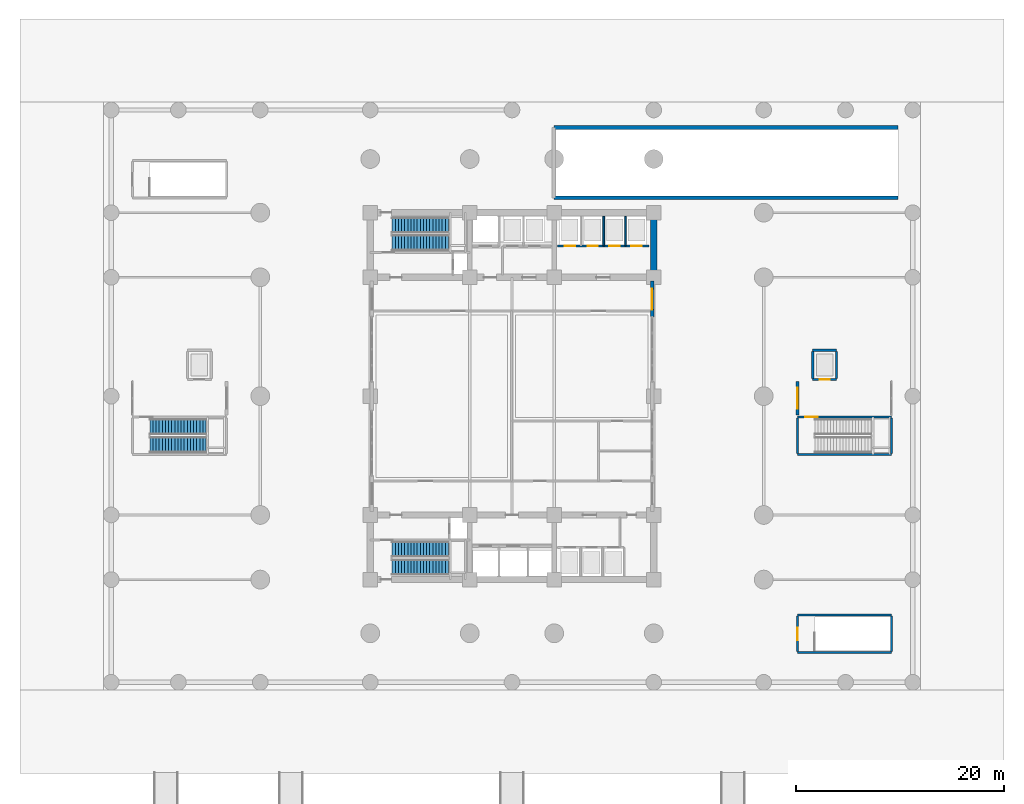
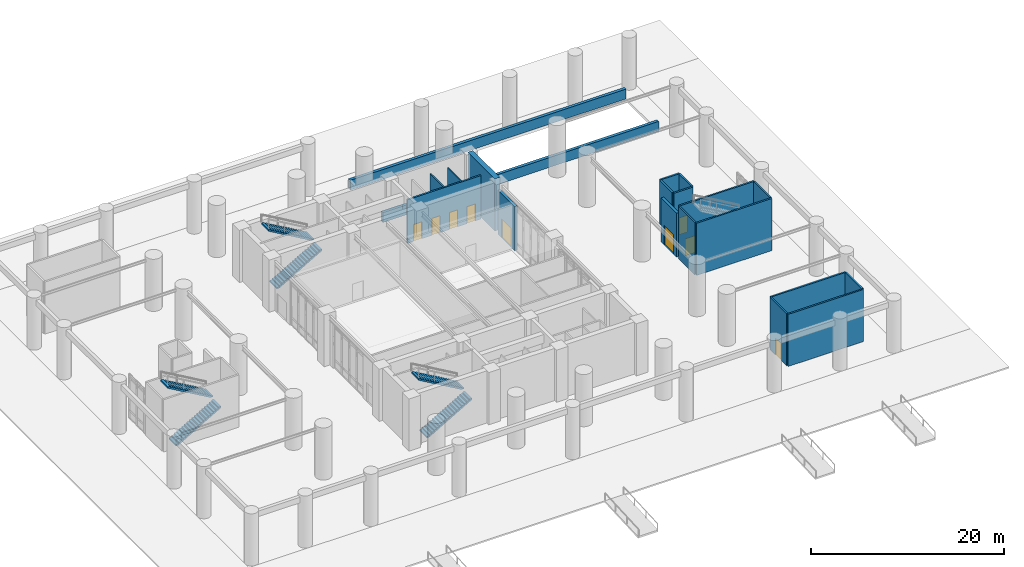
# One storey, part 9 of 16: 20 walls, 9 doors, 6 stair flights, 9 openings, 3 elements without a shape of their own.
"""IFC4 building model written with IfcOpenShell, lengths in metres."""

from ifc_helpers import new_model, si_unit, direction, frame, frame_2d, origin, place, context, subcontext, project, spatial, polyline, rectangle, outline, extrude, material, layer, layer_set, type_object, element, fill, aggregate, save


model = new_model("IFC4")

# Units and contexts
model_context = context("Model", 3, precision=1e-05, world=origin(), true_north=direction((0.0, 1.0)))
body_context = subcontext(model_context, "Body", "Model", "MODEL_VIEW")
ifc_project = project(units=[si_unit("LENGTHUNIT", "METRE"), si_unit("AREAUNIT", "SQUARE_METRE"), si_unit("VOLUMEUNIT", "CUBIC_METRE"), si_unit("PLANEANGLEUNIT", "RADIAN"), si_unit("MASSUNIT", "GRAM", prefix="KILO")], contexts=[model_context])

# Site, building, storey
site_placement = place(None, origin())
site = spatial("IfcSite", under=ifc_project, at=site_placement, CompositionType="ELEMENT")
building_placement = place(site_placement, origin())
building = spatial("IfcBuilding", under=site, at=building_placement, Name="Svetorya Sky Lyceum", CompositionType="ELEMENT")
storey_placement = place(building_placement, origin())
storey = spatial("IfcBuildingStorey", under=building, at=storey_placement, Name="L00", CompositionType="ELEMENT", Elevation=0.0)

# Wall
ifc_material_1 = material(Name="Concrete C60/75", Category="concrete")
ifc_layer_1 = layer(ifc_material_1, 0.60009765625)
ifc_layer_set_1 = layer_set([ifc_layer_1], Name="Concrete C60/75")
wall_type_1 = type_object("IfcWallType", Name="WL-CORE-600", PredefinedType="SHEAR", material=ifc_layer_set_1)
wall_1_placement = place(storey_placement, frame((52.800048828125, 39.89990234375, 0.0), z_axis=(0.0, 0.0, 1.0), x_axis=(0.0, 1.0, 0.0)))
element("IfcWall", 1, at=wall_1_placement, inside=storey, type_object=wall_type_1, Name="L00 NC East Core Shear Wall", PredefinedType="SHEAR", context=body_context, shape_type="SweptSolid", body=[
    extrude(rectangle(XDim=5.60009765625, YDim=0.60009765625, at=frame_2d((2.800048828125, 0.0))), origin(), (0.0, 0.0, 1.0), 6.60009765625),
])

# Wall, opening, door
ifc_material_2 = material(Name="Putilovo limestone rainscreen on autoclaved cellular masonry", Category="masonry")
ifc_layer_2 = layer(ifc_material_2, 0.300048828125)
ifc_layer_set_2 = layer_set([ifc_layer_2], Name="Putilovo limestone rainscreen on autoclaved cellular masonry")
wall_type_2 = type_object("IfcWallType", Name="WL-EXT-300", PredefinedType="SOLIDWALL", material=ifc_layer_set_2)
wall_2_placement = place(storey_placement, frame((66.60009765625, 26.39990234375, 0.0), z_axis=(0.0, 0.0, 1.0), x_axis=(0.0, 1.0, 0.0)))
wall_2 = element("IfcWall", 2, at=wall_2_placement, inside=storey, type_object=wall_type_2, Name="L00 Lyceum Vestibule Door Wall E", PredefinedType="SOLIDWALL", context=body_context, shape_type="SweptSolid", body=[
    extrude(rectangle(XDim=3.2001953125, YDim=0.300048828125, at=frame_2d((1.60009765625, 0.0))), origin(), (0.0, 0.0, 1.0), 5.580078125),
])
opening_1_placement = place(wall_2_placement, frame((0.60009765625, 0.0, 0.0)))
opening_1 = element("IfcOpeningElement", 3, at=opening_1_placement, cuts=wall_2, Name="Opening D-E1", PredefinedType="OPENING", context=body_context, shape_type="SweptSolid", body=[
    extrude(rectangle(XDim=2.0, YDim=2.449951171875, at=frame_2d((1.0, 1.22509765625))), frame((0.0, 0.159912109375, 0.0), z_axis=(0.0, -1.0, 0.0), x_axis=(1.0, 0.0, 0.0)), (0.0, 0.0, 1.0), 0.320068359375),
])
ifc_material_3 = material(Name="Thermally broken glazed bronze-anodized aluminium", Category="aluminium")
door_type_1 = type_object("IfcDoorType", Name="DR-ENT-2000", OperationType="DOUBLE_DOOR_SINGLE_SWING", PredefinedType="DOOR", material=ifc_material_3)
door_1_placement = place(opening_1_placement, origin())
door_1 = element("IfcDoor", 4, at=door_1_placement, inside=storey, type_object=door_type_1, Name="Lyceum Vestibule Entrance E", OperationType="DOUBLE_DOOR_SINGLE_SWING", OverallHeight=2.449951171875, OverallWidth=2.0, PredefinedType="DOOR", context=body_context, shape_type="SweptSolid", body=[
    extrude(rectangle(XDim=2.0, YDim=2.449951171875, at=frame_2d((1.0, 1.22509765625))), frame((0.0, 0.02490234375, 0.0), z_axis=(0.0, -1.0, 0.0), x_axis=(1.0, 0.0, 0.0)), (0.0, 0.0, 1.0), 0.050048828125),
])
fill(opening_1, door_1)

ifc_layer_3 = layer(ifc_material_2, 0.340087890625)
ifc_layer_set_3 = layer_set([ifc_layer_3], Name="Putilovo limestone rainscreen on autoclaved cellular masonry")
wall_type_3 = type_object("IfcWallType", Name="WL-EXT-340", PredefinedType="SOLIDWALL", material=ifc_layer_set_3)
wall_3_placement = place(storey_placement, frame((52.64990234375, 35.800048828125, 0.0), z_axis=(0.0, 0.0, 1.0), x_axis=(0.0, 1.0, 0.0)))
wall_3 = element("IfcWall", 5, at=wall_3_placement, inside=storey, type_object=wall_type_3, Name="L00 Pilotis Foyer Pier E3", PredefinedType="SOLIDWALL", context=body_context, shape_type="SweptSolid", body=[
    extrude(rectangle(XDim=3.449951171875, YDim=0.340087890625, at=frame_2d((1.72509765625, 0.0))), origin(), (0.0, 0.0, 1.0), 5.580078125),
])
opening_2_placement = place(wall_3_placement, frame((0.699951171875, 0.0, 0.0)))
opening_2 = element("IfcOpeningElement", 6, at=opening_2_placement, cuts=wall_3, Name="Opening D-E1", PredefinedType="OPENING", context=body_context, shape_type="SweptSolid", body=[
    extrude(rectangle(XDim=2.0, YDim=2.449951171875, at=frame_2d((1.0, 1.22509765625))), frame((0.0, 0.179931640625, 0.0), z_axis=(0.0, -1.0, 0.0), x_axis=(1.0, 0.0, 0.0)), (0.0, 0.0, 1.0), 0.360107421875),
])
door_2_placement = place(opening_2_placement, origin())
door_2 = element("IfcDoor", 7, at=door_2_placement, inside=storey, type_object=door_type_1, Name="L00 North Foyer Exit E", OperationType="DOUBLE_DOOR_SINGLE_SWING", OverallHeight=2.449951171875, OverallWidth=2.0, PredefinedType="DOOR", context=body_context, shape_type="SweptSolid", body=[
    extrude(rectangle(XDim=2.0, YDim=2.449951171875, at=frame_2d((1.0, 1.22509765625))), frame((0.0, 0.02490234375, 0.0), z_axis=(0.0, -1.0, 0.0), x_axis=(1.0, 0.0, 0.0)), (0.0, 0.0, 1.0), 0.050048828125),
])
fill(opening_2, door_2)

# Walls
ifc_material_4 = material(Name="Concrete C40/50", Category="concrete")
ifc_layer_4 = layer(ifc_material_4, 0.35009765625)
ifc_layer_set_4 = layer_set([ifc_layer_4], Name="Concrete C40/50")
wall_type_4 = type_object("IfcWallType", Name="WL-KERB-350", PredefinedType="PARAPET", material=ifc_layer_set_4)
for number, where, z_axis, x_axis, name in (
    (8, (43.219970703125, 47.219970703125, 0.0), (0.0, 0.0, 1.0), (1.0, 0.0, 0.0), "L00 Vehicle Ramp Protection Wall S"),
    (9, (76.25, 53.97998046875, 0.0), (0.0, 0.0, 1.0), (-1.0, 0.0, 0.0), "L00 Vehicle Ramp Protection Wall N"),
):
    element("IfcWall", number, at=place(storey_placement, frame(where, z_axis=z_axis, x_axis=x_axis)), inside=storey, type_object=wall_type_4, Name=name, PredefinedType="PARAPET", context=body_context, shape_type="SweptSolid", body=[
        extrude(rectangle(XDim=33.030029296875, YDim=0.35009765625, at=frame_2d((16.51513671875, 0.0))), origin(), (0.0, 0.0, 1.0), 1.25),
    ])
ifc_material_5 = material(Name="Autoclaved cellular masonry blockwork with acoustic render", Category="masonry")
ifc_layer_5 = layer(ifc_material_5, 0.14990234375)
ifc_layer_set_5 = layer_set([ifc_layer_5], Name="Autoclaved cellular masonry blockwork with acoustic render")
wall_type_5 = type_object("IfcWallType", Name="WL-PART-150", PredefinedType="PARTITIONING", material=ifc_layer_set_5)
for number, where, z_axis, x_axis, name in (
    (10, (48.0, 42.64990234375, 0.0), (0.0, 0.0, 1.0), (0.0, 1.0, 0.0), "L00 Interior Partition NC-PH-D1"),
    (11, (50.10009765625, 42.64990234375, 0.0), (0.0, 0.0, 1.0), (0.0, 1.0, 0.0), "L00 Interior Partition NC-PH-D2"),
):
    element("IfcWall", number, at=place(storey_placement, frame(where, z_axis=z_axis, x_axis=x_axis)), inside=storey, type_object=wall_type_5, Name=name, PredefinedType="PARTITIONING", context=body_context, shape_type="SweptSolid", body=[
        extrude(rectangle(XDim=2.800048828125, YDim=0.14990234375, at=frame_2d((1.39990234375, 0.0))), origin(), (0.0, 0.0, 1.0), 5.52001953125),
    ])

# Wall, openings, doors
ifc_material_6 = material(Name="Autoclaved cellular masonry blockwork with gypsum plaster", Category="masonry")
ifc_layer_6 = layer(ifc_material_6, 0.199951171875)
ifc_layer_set_6 = layer_set([ifc_layer_6], Name="Autoclaved cellular masonry blockwork with gypsum plaster")
wall_type_6 = type_object("IfcWallType", Name="WL-PART-200", PredefinedType="PARTITIONING", material=ifc_layer_set_6)
wall_4_placement = place(storey_placement, frame((52.35009765625, 42.60009765625, 0.0), z_axis=(0.0, 0.0, 1.0), x_axis=(-1.0, 0.0, 0.0)))
wall_4 = element("IfcWall", 12, at=wall_4_placement, inside=storey, type_object=wall_type_6, Name="L00 Interior Partition NC-PHEW", PredefinedType="PARTITIONING", context=body_context, shape_type="SweptSolid", body=[
    extrude(rectangle(XDim=8.800048828125, YDim=0.199951171875, at=frame_2d((4.39990234375, 0.0))), origin(), (0.0, 0.0, 1.0), 5.52001953125),
])
opening_3_placement = place(wall_4_placement, frame((7.10009765625, 0.0, 0.0)))
opening_3 = element("IfcOpeningElement", 13, at=opening_3_placement, cuts=wall_4, Name="Opening LD-P1", PredefinedType="OPENING", context=body_context, shape_type="SweptSolid", body=[
    extrude(rectangle(XDim=1.0, YDim=2.14990234375, at=frame_2d((0.5, 1.074951171875))), frame((0.0, 0.10986328125, 0.0), z_axis=(0.0, -1.0, 0.0), x_axis=(1.0, 0.0, 0.0)), (0.0, 0.0, 1.0), 0.219970703125),
])
opening_4_placement = place(wall_4_placement, frame((4.89990234375, 0.0, 0.0)))
opening_4 = element("IfcOpeningElement", 14, at=opening_4_placement, cuts=wall_4, Name="Opening LD-P1", PredefinedType="OPENING", context=body_context, shape_type="SweptSolid", body=[
    extrude(rectangle(XDim=1.0, YDim=2.14990234375, at=frame_2d((0.5, 1.074951171875))), frame((0.0, 0.10986328125, 0.0), z_axis=(0.0, -1.0, 0.0), x_axis=(1.0, 0.0, 0.0)), (0.0, 0.0, 1.0), 0.219970703125),
])
opening_5_placement = place(wall_4_placement, frame((2.800048828125, 0.0, 0.0)))
opening_5 = element("IfcOpeningElement", 15, at=opening_5_placement, cuts=wall_4, Name="Opening LD-P1", PredefinedType="OPENING", context=body_context, shape_type="SweptSolid", body=[
    extrude(rectangle(XDim=1.0, YDim=2.14990234375, at=frame_2d((0.5, 1.074951171875))), frame((0.0, 0.10986328125, 0.0), z_axis=(0.0, -1.0, 0.0), x_axis=(1.0, 0.0, 0.0)), (0.0, 0.0, 1.0), 0.219970703125),
])
opening_6_placement = place(wall_4_placement, frame((0.699951171875, 0.0, 0.0)))
opening_6 = element("IfcOpeningElement", 16, at=opening_6_placement, cuts=wall_4, Name="Opening LD-P1", PredefinedType="OPENING", context=body_context, shape_type="SweptSolid", body=[
    extrude(rectangle(XDim=1.0, YDim=2.14990234375, at=frame_2d((0.5, 1.074951171875))), frame((0.0, 0.10986328125, 0.0), z_axis=(0.0, -1.0, 0.0), x_axis=(1.0, 0.0, 0.0)), (0.0, 0.0, 1.0), 0.219970703125),
])
ifc_material_7 = material(Name="Champagne-anodized stainless passenger lift landing door")
door_type_2 = type_object("IfcDoorType", Name="DR-LIFT-1000", OperationType="SLIDING_TO_LEFT", PredefinedType="DOOR", material=ifc_material_7)
door_3_placement = place(opening_3_placement, origin())
door_3 = element("IfcDoor", 17, at=door_3_placement, inside=storey, type_object=door_type_2, Name="L00 Passenger Lift PM3 Landing Door", OperationType="SLIDING_TO_LEFT", OverallHeight=2.14990234375, OverallWidth=1.0, PredefinedType="DOOR", context=body_context, shape_type="SweptSolid", body=[
    extrude(rectangle(XDim=1.0, YDim=2.14990234375, at=frame_2d((0.5, 1.074951171875))), frame((0.0, 0.02490234375, 0.0), z_axis=(0.0, -1.0, 0.0), x_axis=(1.0, 0.0, 0.0)), (0.0, 0.0, 1.0), 0.050048828125),
])
fill(opening_3, door_3)
door_4_placement = place(opening_4_placement, origin())
door_4 = element("IfcDoor", 18, at=door_4_placement, inside=storey, type_object=door_type_2, Name="L00 Passenger Lift PH1 Landing Door", OperationType="SLIDING_TO_LEFT", OverallHeight=2.14990234375, OverallWidth=1.0, PredefinedType="DOOR", context=body_context, shape_type="SweptSolid", body=[
    extrude(rectangle(XDim=1.0, YDim=2.14990234375, at=frame_2d((0.5, 1.074951171875))), frame((0.0, 0.02490234375, 0.0), z_axis=(0.0, -1.0, 0.0), x_axis=(1.0, 0.0, 0.0)), (0.0, 0.0, 1.0), 0.050048828125),
])
fill(opening_4, door_4)
door_5_placement = place(opening_5_placement, origin())
door_5 = element("IfcDoor", 19, at=door_5_placement, inside=storey, type_object=door_type_2, Name="L00 Passenger Lift PH2 Landing Door", OperationType="SLIDING_TO_LEFT", OverallHeight=2.14990234375, OverallWidth=1.0, PredefinedType="DOOR", context=body_context, shape_type="SweptSolid", body=[
    extrude(rectangle(XDim=1.0, YDim=2.14990234375, at=frame_2d((0.5, 1.074951171875))), frame((0.0, 0.02490234375, 0.0), z_axis=(0.0, -1.0, 0.0), x_axis=(1.0, 0.0, 0.0)), (0.0, 0.0, 1.0), 0.050048828125),
])
fill(opening_5, door_5)
door_6_placement = place(opening_6_placement, origin())
door_6 = element("IfcDoor", 20, at=door_6_placement, inside=storey, type_object=door_type_2, Name="L00 Passenger Lift PH3 Landing Door", OperationType="SLIDING_TO_LEFT", OverallHeight=2.14990234375, OverallWidth=1.0, PredefinedType="DOOR", context=body_context, shape_type="SweptSolid", body=[
    extrude(rectangle(XDim=1.0, YDim=2.14990234375, at=frame_2d((0.5, 1.074951171875))), frame((0.0, 0.02490234375, 0.0), z_axis=(0.0, -1.0, 0.0), x_axis=(1.0, 0.0, 0.0)), (0.0, 0.0, 1.0), 0.050048828125),
])
fill(opening_6, door_6)

# Walls
wall_5_placement = place(storey_placement, frame((68.050048828125, 32.60009765625, 0.0), z_axis=(0.0, 0.0, 1.0), x_axis=(1.0, 0.0, 0.0)))
element("IfcWall", 21, at=wall_5_placement, inside=storey, type_object=wall_type_6, Name="L00 Interior Partition SHL-N-SCHL2", PredefinedType="PARTITIONING", context=body_context, shape_type="SweptSolid", body=[
    extrude(rectangle(XDim=2.300048828125, YDim=0.199951171875, at=frame_2d((1.14990234375, 0.0))), origin(), (0.0, 0.0, 1.0), 5.52001953125),
])
for number, where, z_axis, x_axis, name in (
    (22, (68.050048828125, 29.89990234375, 0.0), (0.0, 0.0, 1.0), (0.0, 1.0, 0.0), "L00 Interior Partition SHL-W-SCHL2"),
    (23, (70.35009765625, 29.89990234375, 0.0), (0.0, 0.0, 1.0), (0.0, 1.0, 0.0), "L00 Interior Partition SHL-E-SCHL2"),
):
    element("IfcWall", number, at=place(storey_placement, frame(where, z_axis=z_axis, x_axis=x_axis)), inside=storey, type_object=wall_type_6, Name=name, PredefinedType="PARTITIONING", context=body_context, shape_type="SweptSolid", body=[
        extrude(rectangle(XDim=2.60009765625, YDim=0.199951171875, at=frame_2d((1.300048828125, 0.0))), origin(), (0.0, 0.0, 1.0), 5.52001953125),
    ])

# Wall, opening, door
wall_6_placement = place(storey_placement, frame((68.050048828125, 29.800048828125, 0.0), z_axis=(0.0, 0.0, 1.0), x_axis=(1.0, 0.0, 0.0)))
wall_6 = element("IfcWall", 24, at=wall_6_placement, inside=storey, type_object=wall_type_6, Name="L00 Interior Partition SHL-S-SCHL2", PredefinedType="PARTITIONING", context=body_context, shape_type="SweptSolid", body=[
    extrude(rectangle(XDim=2.300048828125, YDim=0.199951171875, at=frame_2d((1.14990234375, 0.0))), origin(), (0.0, 0.0, 1.0), 5.52001953125),
])
opening_7_placement = place(wall_6_placement, frame((0.64990234375, 0.0, 0.0)))
opening_7 = element("IfcOpeningElement", 25, at=opening_7_placement, cuts=wall_6, Name="Opening LD-P1", PredefinedType="OPENING", context=body_context, shape_type="SweptSolid", body=[
    extrude(rectangle(XDim=1.0, YDim=2.14990234375, at=frame_2d((0.5, 1.074951171875))), frame((0.0, 0.10986328125, 0.0), z_axis=(0.0, -1.0, 0.0), x_axis=(1.0, 0.0, 0.0)), (0.0, 0.0, 1.0), 0.219970703125),
])
door_7_placement = place(opening_7_placement, origin())
door_7 = element("IfcDoor", 26, at=door_7_placement, inside=storey, type_object=door_type_2, Name="L00 Lyceum Lift SCHL2 Landing Door", OperationType="SLIDING_TO_LEFT", OverallHeight=2.14990234375, OverallWidth=1.0, PredefinedType="DOOR", context=body_context, shape_type="SweptSolid", body=[
    extrude(rectangle(XDim=1.0, YDim=2.14990234375, at=frame_2d((0.5, 1.074951171875))), frame((0.0, 0.02490234375, 0.0), z_axis=(0.0, -1.0, 0.0), x_axis=(1.0, 0.0, 0.0)), (0.0, 0.0, 1.0), 0.050048828125),
])
fill(opening_7, door_7)

# Walls
ifc_material_8 = material(Name="Concrete C50/60", Category="concrete")
ifc_layer_7 = layer(ifc_material_8, 0.199951171875)
ifc_layer_set_7 = layer_set([ifc_layer_7], Name="Concrete C50/60")
wall_type_7 = type_object("IfcWallType", Name="WL-SHW-200", PredefinedType="SHEAR", material=ifc_layer_set_7)
wall_7_placement = place(storey_placement, frame((66.60009765625, 22.60009765625, 0.0), z_axis=(0.0, 0.0, 1.0), x_axis=(1.0, 0.0, 0.0)))
element("IfcWall", 27, at=wall_7_placement, inside=storey, type_object=wall_type_7, Name="L00 Structural Stair Shaft Wall SCHW-S-E", PredefinedType="SHEAR", context=body_context, shape_type="SweptSolid", body=[
    extrude(rectangle(XDim=9.0, YDim=0.199951171875, at=frame_2d((4.5, 0.0))), origin(), (0.0, 0.0, 1.0), 6.60009765625),
])
for number, where, z_axis, x_axis, name in (
    (28, (66.60009765625, 22.699951171875, 0.0), (0.0, 0.0, 1.0), (0.0, 1.0, 0.0), "L00 Structural Stair Shaft Wall SCHW-W-E"),
    (29, (75.60009765625, 22.699951171875, 0.0), (0.0, 0.0, 1.0), (0.0, 1.0, 0.0), "L00 Structural Stair Shaft Wall SCHW-E-E"),
):
    element("IfcWall", number, at=place(storey_placement, frame(where, z_axis=z_axis, x_axis=x_axis)), inside=storey, type_object=wall_type_7, Name=name, PredefinedType="SHEAR", context=body_context, shape_type="SweptSolid", body=[
        extrude(rectangle(XDim=3.400146484375, YDim=0.199951171875, at=frame_2d((1.7001953125, 0.0))), origin(), (0.0, 0.0, 1.0), 6.60009765625),
    ])

# Wall, opening, door
wall_8_placement = place(storey_placement, frame((75.60009765625, 26.199951171875, 0.0), z_axis=(0.0, 0.0, 1.0), x_axis=(-1.0, 0.0, 0.0)))
wall_8 = element("IfcWall", 30, at=wall_8_placement, inside=storey, type_object=wall_type_7, Name="L00 Structural Stair Shaft Wall SCHW-N-E", PredefinedType="SHEAR", context=body_context, shape_type="SweptSolid", body=[
    extrude(rectangle(XDim=9.0, YDim=0.199951171875, at=frame_2d((4.5, 0.0))), origin(), (0.0, 0.0, 1.0), 6.60009765625),
])
opening_8_placement = place(wall_8_placement, frame((7.050048828125, 0.0, 0.0)))
opening_8 = element("IfcOpeningElement", 31, at=opening_8_placement, cuts=wall_8, Name="Opening D-FL1", PredefinedType="OPENING", context=body_context, shape_type="SweptSolid", body=[
    extrude(rectangle(XDim=1.199951171875, YDim=2.14990234375, at=frame_2d((0.60009765625, 1.074951171875))), frame((0.0, 0.10986328125, 0.0), z_axis=(0.0, -1.0, 0.0), x_axis=(1.0, 0.0, 0.0)), (0.0, 0.0, 1.0), 0.219970703125),
])
ifc_material_9 = material(Name="Powder-coated insulated galvanized fire door")
door_type_3 = type_object("IfcDoorType", Name="DR-FIRE-1200", OperationType="SINGLE_SWING_LEFT", PredefinedType="DOOR", material=ifc_material_9)
door_8_placement = place(opening_8_placement, origin())
door_8 = element("IfcDoor", 32, at=door_8_placement, inside=storey, type_object=door_type_3, Name="L00 Lyceum Stair E Fire Door", OperationType="SINGLE_SWING_RIGHT", OverallHeight=2.14990234375, OverallWidth=1.199951171875, PredefinedType="DOOR", context=body_context, shape_type="SweptSolid", body=[
    extrude(rectangle(XDim=1.199951171875, YDim=2.14990234375, at=frame_2d((0.60009765625, 1.074951171875))), frame((0.0, 0.02490234375, 0.0), z_axis=(0.0, -1.0, 0.0), x_axis=(1.0, 0.0, 0.0)), (0.0, 0.0, 1.0), 0.050048828125),
])
fill(opening_8, door_8)

# Walls
for number, where, z_axis, x_axis, name in (
    (33, (66.60009765625, 3.60009765625, 0.0), (0.0, 0.0, 1.0), (1.0, 0.0, 0.0), "L00 Structural Stair Shaft Wall STB-S-B2"),
    (34, (75.60009765625, 7.199951171875, 0.0), (0.0, 0.0, 1.0), (-1.0, 0.0, 0.0), "L00 Structural Stair Shaft Wall STB-N-B2"),
):
    element("IfcWall", number, at=place(storey_placement, frame(where, z_axis=z_axis, x_axis=x_axis)), inside=storey, type_object=wall_type_7, Name=name, PredefinedType="SHEAR", context=body_context, shape_type="SweptSolid", body=[
        extrude(rectangle(XDim=9.0, YDim=0.199951171875, at=frame_2d((4.5, 0.0))), origin(), (0.0, 0.0, 1.0), 6.60009765625),
    ])

# Wall, opening, door
wall_9_placement = place(storey_placement, frame((66.60009765625, 3.699951171875, 0.0), z_axis=(0.0, 0.0, 1.0), x_axis=(0.0, 1.0, 0.0)))
wall_9 = element("IfcWall", 35, at=wall_9_placement, inside=storey, type_object=wall_type_7, Name="L00 Structural Stair Shaft Wall STB-W-B2", PredefinedType="SHEAR", context=body_context, shape_type="SweptSolid", body=[
    extrude(rectangle(XDim=3.400146484375, YDim=0.199951171875, at=frame_2d((1.7001953125, 0.0))), origin(), (0.0, 0.0, 1.0), 6.60009765625),
])
opening_9_placement = place(wall_9_placement, frame((1.10009765625, 0.0, 0.0)))
opening_9 = element("IfcOpeningElement", 36, at=opening_9_placement, cuts=wall_9, Name="Opening D-FL1", PredefinedType="OPENING", context=body_context, shape_type="SweptSolid", body=[
    extrude(rectangle(XDim=1.199951171875, YDim=2.14990234375, at=frame_2d((0.60009765625, 1.074951171875))), frame((0.0, 0.10986328125, 0.0), z_axis=(0.0, -1.0, 0.0), x_axis=(1.0, 0.0, 0.0)), (0.0, 0.0, 1.0), 0.219970703125),
])
door_9_placement = place(opening_9_placement, origin())
door_9 = element("IfcDoor", 37, at=door_9_placement, inside=storey, type_object=door_type_3, Name="Basement Stair ST-B2 Grade Exit Door", OperationType="SINGLE_SWING_LEFT", OverallHeight=2.14990234375, OverallWidth=1.199951171875, PredefinedType="DOOR", context=body_context, shape_type="SweptSolid", body=[
    extrude(rectangle(XDim=1.199951171875, YDim=2.14990234375, at=frame_2d((0.60009765625, 1.074951171875))), frame((0.0, 0.02490234375, 0.0), z_axis=(0.0, -1.0, 0.0), x_axis=(1.0, 0.0, 0.0)), (0.0, 0.0, 1.0), 0.050048828125),
])
fill(opening_9, door_9)

# Wall
wall_10_placement = place(storey_placement, frame((75.60009765625, 3.699951171875, 0.0), z_axis=(0.0, 0.0, 1.0), x_axis=(0.0, 1.0, 0.0)))
element("IfcWall", 38, at=wall_10_placement, inside=storey, type_object=wall_type_7, Name="L00 Structural Stair Shaft Wall STB-E-B2", PredefinedType="SHEAR", context=body_context, shape_type="SweptSolid", body=[
    extrude(rectangle(XDim=3.400146484375, YDim=0.199951171875, at=frame_2d((1.7001953125, 0.0))), origin(), (0.0, 0.0, 1.0), 6.60009765625),
])

# Stair, stair flights
stair_type_1 = type_object("IfcStairType", Name="STR-ST-N", PredefinedType="HALF_TURN_STAIR", material=ifc_material_4)
stair_1_placement = place(storey_placement, origin())
stair_1 = element("IfcStair", 39, at=stair_1_placement, inside=storey, type_object=stair_type_1, Name="L00 North Core Smoke-Free Exit Stair N3", PredefinedType="HALF_TURN_STAIR")
stair_flight_type_1 = type_object("IfcStairFlightType", Name="SFL-ST-N", PredefinedType="STRAIGHT", material=ifc_material_4)
stair_flight_1_placement = place(storey_placement, frame((27.699951171875, 42.89990234375, 0.0), z_axis=(0.0, 0.0, 1.0), x_axis=(1.0, 0.0, 0.0)))
stair_flight_1 = element("IfcStairFlight", 40, at=stair_flight_1_placement, type_object=stair_flight_type_1, Name="ST-N flight 1", NumberOfRisers=19, NumberOfTreads=18, PredefinedType="STRAIGHT", RiserHeight=0.173684211, TreadLength=0.3, context=body_context, shape_type="SweptSolid", body=[
    extrude(outline(polyline([(0.0, 0.0), (0.0, 0.173583984375), (0.300048828125, 0.173583984375), (0.300048828125, 0.347412109375), (0.60009765625, 0.347412109375), (0.60009765625, 0.52099609375), (0.89990234375, 0.52099609375), (0.89990234375, 0.69482421875), (1.199951171875, 0.69482421875), (1.199951171875, 0.868408203125), (1.5, 0.868408203125), (1.5, 1.0419921875), (1.800048828125, 1.0419921875), (1.800048828125, 1.2158203125), (2.10009765625, 1.2158203125), (2.10009765625, 1.389404296875), (2.39990234375, 1.389404296875), (2.39990234375, 1.563232421875), (2.699951171875, 1.563232421875), (2.699951171875, 1.73681640625), (3.0, 1.73681640625), (3.0, 1.91064453125), (3.300048828125, 1.91064453125), (3.300048828125, 2.084228515625), (3.60009765625, 2.084228515625), (3.60009765625, 2.2578125), (3.89990234375, 2.2578125), (3.89990234375, 2.431640625), (4.199951171875, 2.431640625), (4.199951171875, 2.605224609375), (4.5, 2.605224609375), (4.5, 2.779052734375), (4.800048828125, 2.779052734375), (4.800048828125, 2.95263671875), (5.10009765625, 2.95263671875), (5.10009765625, 3.126220703125), (5.39990234375, 3.126220703125), (5.39990234375, 3.300048828125), (5.39990234375, 2.953125), (0.299072265625, 0.0), (0.0, 0.0)])), frame((0.0, 0.75, 0.0), z_axis=(0.0, -1.0, 0.0), x_axis=(1.0, 0.0, 0.0)), (0.0, 0.0, 1.0), 1.5),
])
stair_flight_2_placement = place(storey_placement, frame((33.10009765625, 44.60009765625, 3.300048828125), z_axis=(0.0, 0.0, 1.0), x_axis=(-1.0, 0.0, 0.0)))
stair_flight_2 = element("IfcStairFlight", 41, at=stair_flight_2_placement, type_object=stair_flight_type_1, Name="ST-N flight 2", NumberOfRisers=19, NumberOfTreads=18, PredefinedType="STRAIGHT", RiserHeight=0.173684211, TreadLength=0.3, context=body_context, shape_type="SweptSolid", body=[
    extrude(outline(polyline([(0.0, 0.0), (0.0, 0.173583984375), (0.300048828125, 0.173583984375), (0.300048828125, 0.347412109375), (0.60009765625, 0.347412109375), (0.60009765625, 0.52099609375), (0.89990234375, 0.52099609375), (0.89990234375, 0.69482421875), (1.199951171875, 0.69482421875), (1.199951171875, 0.868408203125), (1.5, 0.868408203125), (1.5, 1.0419921875), (1.800048828125, 1.0419921875), (1.800048828125, 1.2158203125), (2.10009765625, 1.2158203125), (2.10009765625, 1.389404296875), (2.39990234375, 1.389404296875), (2.39990234375, 1.563232421875), (2.699951171875, 1.563232421875), (2.699951171875, 1.73681640625), (3.0, 1.73681640625), (3.0, 1.91064453125), (3.300048828125, 1.91064453125), (3.300048828125, 2.084228515625), (3.60009765625, 2.084228515625), (3.60009765625, 2.2578125), (3.89990234375, 2.2578125), (3.89990234375, 2.431640625), (4.199951171875, 2.431640625), (4.199951171875, 2.605224609375), (4.5, 2.605224609375), (4.5, 2.779052734375), (4.800048828125, 2.779052734375), (4.800048828125, 2.95263671875), (5.10009765625, 2.95263671875), (5.10009765625, 3.126220703125), (5.39990234375, 3.126220703125), (5.39990234375, 3.300048828125), (5.39990234375, 2.953125), (0.299072265625, 0.0), (0.0, 0.0)])), frame((0.0, 0.75, 0.0), z_axis=(0.0, -1.0, 0.0), x_axis=(1.0, 0.0, 0.0)), (0.0, 0.0, 1.0), 1.5),
])
aggregate(stair_1, [stair_flight_1, stair_flight_2])

stair_type_2 = type_object("IfcStairType", Name="STR-ST-S", PredefinedType="HALF_TURN_STAIR", material=ifc_material_4)
stair_2_placement = place(storey_placement, origin())
stair_2 = element("IfcStair", 42, at=stair_2_placement, inside=storey, type_object=stair_type_2, Name="L00 South Core Smoke-Free Exit Stair N2", PredefinedType="HALF_TURN_STAIR")
stair_flight_type_2 = type_object("IfcStairFlightType", Name="SFL-ST-S", PredefinedType="STRAIGHT", material=ifc_material_4)
stair_flight_3_placement = place(storey_placement, frame((27.699951171875, 11.800048828125, 0.0), z_axis=(0.0, 0.0, 1.0), x_axis=(1.0, 0.0, 0.0)))
stair_flight_3 = element("IfcStairFlight", 43, at=stair_flight_3_placement, type_object=stair_flight_type_2, Name="ST-S flight 1", NumberOfRisers=19, NumberOfTreads=18, PredefinedType="STRAIGHT", RiserHeight=0.173684211, TreadLength=0.3, context=body_context, shape_type="SweptSolid", body=[
    extrude(outline(polyline([(0.0, 0.0), (0.0, 0.173583984375), (0.300048828125, 0.173583984375), (0.300048828125, 0.347412109375), (0.60009765625, 0.347412109375), (0.60009765625, 0.52099609375), (0.89990234375, 0.52099609375), (0.89990234375, 0.69482421875), (1.199951171875, 0.69482421875), (1.199951171875, 0.868408203125), (1.5, 0.868408203125), (1.5, 1.0419921875), (1.800048828125, 1.0419921875), (1.800048828125, 1.2158203125), (2.10009765625, 1.2158203125), (2.10009765625, 1.389404296875), (2.39990234375, 1.389404296875), (2.39990234375, 1.563232421875), (2.699951171875, 1.563232421875), (2.699951171875, 1.73681640625), (3.0, 1.73681640625), (3.0, 1.91064453125), (3.300048828125, 1.91064453125), (3.300048828125, 2.084228515625), (3.60009765625, 2.084228515625), (3.60009765625, 2.2578125), (3.89990234375, 2.2578125), (3.89990234375, 2.431640625), (4.199951171875, 2.431640625), (4.199951171875, 2.605224609375), (4.5, 2.605224609375), (4.5, 2.779052734375), (4.800048828125, 2.779052734375), (4.800048828125, 2.95263671875), (5.10009765625, 2.95263671875), (5.10009765625, 3.126220703125), (5.39990234375, 3.126220703125), (5.39990234375, 3.300048828125), (5.39990234375, 2.953125), (0.299072265625, 0.0), (0.0, 0.0)])), frame((0.0, 0.75, 0.0), z_axis=(0.0, -1.0, 0.0), x_axis=(1.0, 0.0, 0.0)), (0.0, 0.0, 1.0), 1.5),
])
stair_flight_4_placement = place(storey_placement, frame((33.10009765625, 13.5, 3.300048828125), z_axis=(0.0, 0.0, 1.0), x_axis=(-1.0, 0.0, 0.0)))
stair_flight_4 = element("IfcStairFlight", 44, at=stair_flight_4_placement, type_object=stair_flight_type_2, Name="ST-S flight 2", NumberOfRisers=19, NumberOfTreads=18, PredefinedType="STRAIGHT", RiserHeight=0.173684211, TreadLength=0.3, context=body_context, shape_type="SweptSolid", body=[
    extrude(outline(polyline([(0.0, 0.0), (0.0, 0.173583984375), (0.300048828125, 0.173583984375), (0.300048828125, 0.347412109375), (0.60009765625, 0.347412109375), (0.60009765625, 0.52099609375), (0.89990234375, 0.52099609375), (0.89990234375, 0.69482421875), (1.199951171875, 0.69482421875), (1.199951171875, 0.868408203125), (1.5, 0.868408203125), (1.5, 1.0419921875), (1.800048828125, 1.0419921875), (1.800048828125, 1.2158203125), (2.10009765625, 1.2158203125), (2.10009765625, 1.389404296875), (2.39990234375, 1.389404296875), (2.39990234375, 1.563232421875), (2.699951171875, 1.563232421875), (2.699951171875, 1.73681640625), (3.0, 1.73681640625), (3.0, 1.91064453125), (3.300048828125, 1.91064453125), (3.300048828125, 2.084228515625), (3.60009765625, 2.084228515625), (3.60009765625, 2.2578125), (3.89990234375, 2.2578125), (3.89990234375, 2.431640625), (4.199951171875, 2.431640625), (4.199951171875, 2.605224609375), (4.5, 2.605224609375), (4.5, 2.779052734375), (4.800048828125, 2.779052734375), (4.800048828125, 2.95263671875), (5.10009765625, 2.95263671875), (5.10009765625, 3.126220703125), (5.39990234375, 3.126220703125), (5.39990234375, 3.300048828125), (5.39990234375, 2.953125), (0.299072265625, 0.0), (0.0, 0.0)])), frame((0.0, 0.75, 0.0), z_axis=(0.0, -1.0, 0.0), x_axis=(1.0, 0.0, 0.0)), (0.0, 0.0, 1.0), 1.5),
])
aggregate(stair_2, [stair_flight_3, stair_flight_4])

stair_type_3 = type_object("IfcStairType", Name="STR-ST-SCH-W", PredefinedType="HALF_TURN_STAIR", material=ifc_material_4)
stair_3_placement = place(storey_placement, origin())
stair_3 = element("IfcStair", 45, at=stair_3_placement, inside=storey, type_object=stair_type_3, Name="L00 West Lyceum Podium Dedicated Stair", PredefinedType="HALF_TURN_STAIR")
stair_flight_type_3 = type_object("IfcStairFlightType", Name="SFL-ST-SCH-W", PredefinedType="STRAIGHT", material=ifc_material_4)
stair_flight_5_placement = place(storey_placement, frame((4.449951171875, 23.550048828125, 0.0), z_axis=(0.0, 0.0, 1.0), x_axis=(1.0, 0.0, 0.0)))
stair_flight_5 = element("IfcStairFlight", 46, at=stair_flight_5_placement, type_object=stair_flight_type_3, Name="ST-SCH-W flight 1", NumberOfRisers=19, NumberOfTreads=18, PredefinedType="STRAIGHT", RiserHeight=0.173684211, TreadLength=0.3, context=body_context, shape_type="SweptSolid", body=[
    extrude(outline(polyline([(0.0, 0.0), (0.0, 0.173583984375), (0.300048828125, 0.173583984375), (0.300048828125, 0.347412109375), (0.60009765625, 0.347412109375), (0.60009765625, 0.52099609375), (0.89990234375, 0.52099609375), (0.89990234375, 0.69482421875), (1.199951171875, 0.69482421875), (1.199951171875, 0.868408203125), (1.5, 0.868408203125), (1.5, 1.0419921875), (1.800048828125, 1.0419921875), (1.800048828125, 1.2158203125), (2.10009765625, 1.2158203125), (2.10009765625, 1.389404296875), (2.39990234375, 1.389404296875), (2.39990234375, 1.563232421875), (2.699951171875, 1.563232421875), (2.699951171875, 1.73681640625), (3.0, 1.73681640625), (3.0, 1.91064453125), (3.300048828125, 1.91064453125), (3.300048828125, 2.084228515625), (3.60009765625, 2.084228515625), (3.60009765625, 2.2578125), (3.89990234375, 2.2578125), (3.89990234375, 2.431640625), (4.199951171875, 2.431640625), (4.199951171875, 2.605224609375), (4.5, 2.605224609375), (4.5, 2.779052734375), (4.800048828125, 2.779052734375), (4.800048828125, 2.95263671875), (5.10009765625, 2.95263671875), (5.10009765625, 3.126220703125), (5.39990234375, 3.126220703125), (5.39990234375, 3.300048828125), (5.39990234375, 2.953125), (0.299072265625, 0.0), (0.0, 0.0)])), frame((0.0, 0.75, 0.0), z_axis=(0.0, -1.0, 0.0), x_axis=(1.0, 0.0, 0.0)), (0.0, 0.0, 1.0), 1.5),
])
stair_flight_6_placement = place(storey_placement, frame((9.85009765625, 25.25, 3.300048828125), z_axis=(0.0, 0.0, 1.0), x_axis=(-1.0, 0.0, 0.0)))
stair_flight_6 = element("IfcStairFlight", 47, at=stair_flight_6_placement, type_object=stair_flight_type_3, Name="ST-SCH-W flight 2", NumberOfRisers=19, NumberOfTreads=18, PredefinedType="STRAIGHT", RiserHeight=0.173684211, TreadLength=0.3, context=body_context, shape_type="SweptSolid", body=[
    extrude(outline(polyline([(0.0, 0.0), (0.0, 0.173583984375), (0.300048828125, 0.173583984375), (0.300048828125, 0.347412109375), (0.60009765625, 0.347412109375), (0.60009765625, 0.52099609375), (0.89990234375, 0.52099609375), (0.89990234375, 0.69482421875), (1.199951171875, 0.69482421875), (1.199951171875, 0.868408203125), (1.5, 0.868408203125), (1.5, 1.0419921875), (1.800048828125, 1.0419921875), (1.800048828125, 1.2158203125), (2.10009765625, 1.2158203125), (2.10009765625, 1.389404296875), (2.39990234375, 1.389404296875), (2.39990234375, 1.563232421875), (2.699951171875, 1.563232421875), (2.699951171875, 1.73681640625), (3.0, 1.73681640625), (3.0, 1.91064453125), (3.300048828125, 1.91064453125), (3.300048828125, 2.084228515625), (3.60009765625, 2.084228515625), (3.60009765625, 2.2578125), (3.89990234375, 2.2578125), (3.89990234375, 2.431640625), (4.199951171875, 2.431640625), (4.199951171875, 2.605224609375), (4.5, 2.605224609375), (4.5, 2.779052734375), (4.800048828125, 2.779052734375), (4.800048828125, 2.95263671875), (5.10009765625, 2.95263671875), (5.10009765625, 3.126220703125), (5.39990234375, 3.126220703125), (5.39990234375, 3.300048828125), (5.39990234375, 2.953125), (0.299072265625, 0.0), (0.0, 0.0)])), frame((0.0, 0.75, 0.0), z_axis=(0.0, -1.0, 0.0), x_axis=(1.0, 0.0, 0.0)), (0.0, 0.0, 1.0), 1.5),
])
aggregate(stair_3, [stair_flight_5, stair_flight_6])

save(model, "model.ifc")
